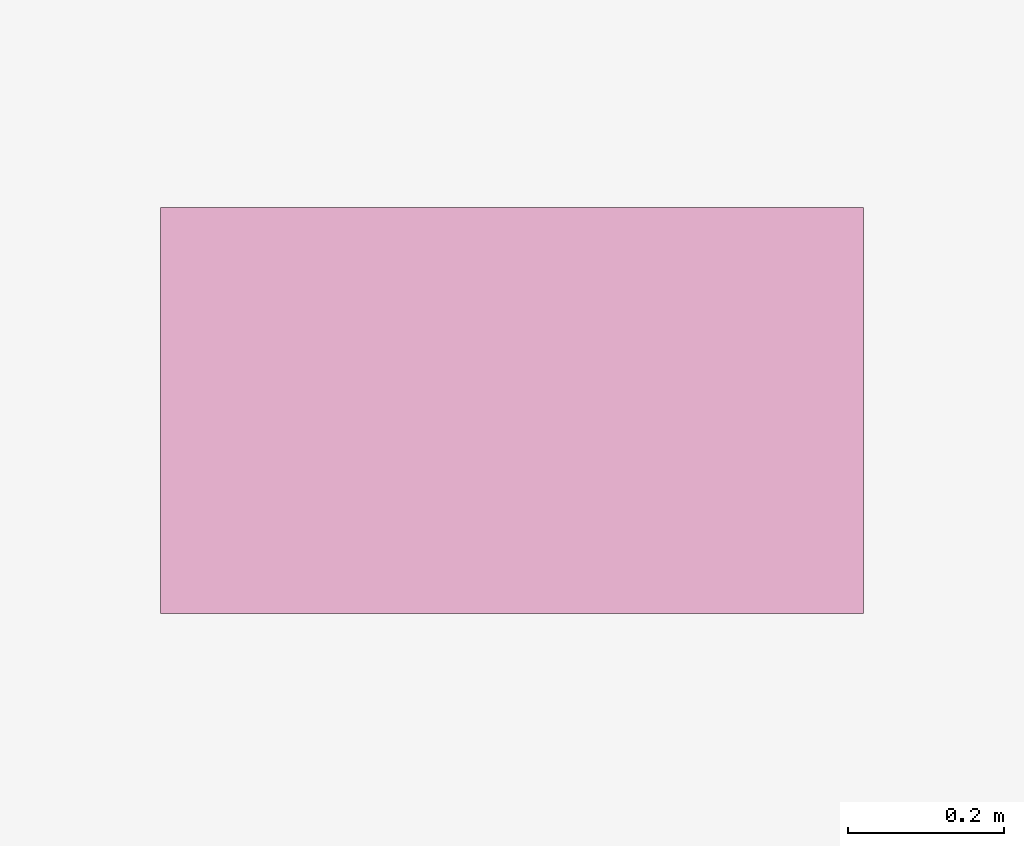
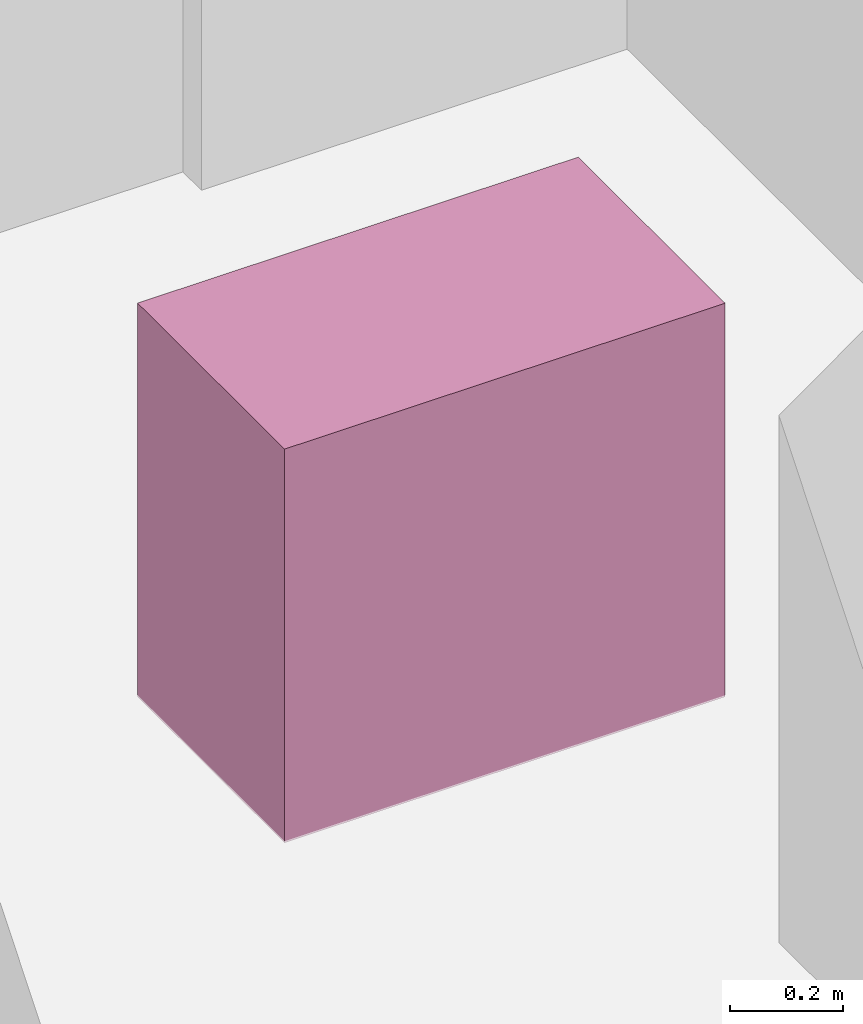
# One storey, part 30 of 30: 1 furnishing.
"""IFC4 building model written with IfcOpenShell, lengths in metres."""

from ifc_helpers import new_model, si_unit, direction, frame, origin, origin_2d, place, context, subcontext, project, spatial, rectangle, extrude, material, type_object, element, save


model = new_model("IFC4")

# Units and contexts
model_context = context("Model", 3, precision=1e-05, world=origin(), true_north=direction((0.0, 1.0)))
body_context = subcontext(model_context, "Body", "Model", "MODEL_VIEW")
ifc_project = project(units=[si_unit("LENGTHUNIT", "METRE"), si_unit("AREAUNIT", "SQUARE_METRE"), si_unit("VOLUMEUNIT", "CUBIC_METRE"), si_unit("PLANEANGLEUNIT", "RADIAN"), si_unit("MASSUNIT", "GRAM", prefix="KILO")], contexts=[model_context])

# Site, building, storey
site_placement = place(None, origin())
site = spatial("IfcSite", under=ifc_project, at=site_placement, CompositionType="ELEMENT")
building_placement = place(site_placement, origin())
building = spatial("IfcBuilding", under=site, at=building_placement, Name="Vorneva Point Tower", CompositionType="ELEMENT")
storey_placement = place(building_placement, frame((0.0, 0.0, 89.300048828125)))
storey = spatial("IfcBuildingStorey", under=building, at=storey_placement, Name="L23", CompositionType="ELEMENT", Elevation=89.300048828125)

# Furnishing
ifc_material = material(Name="Vitreous china and granite top", Category="masonry")
furniture_type = type_object("IfcFurnitureType", Name="FUR-VAN-900", AssemblyPlace="NOTDEFINED", PredefinedType="NOTDEFINED", material=ifc_material)
furnishing_placement = place(storey_placement, frame((34.85009765625, 32.1201171875, -0.005126953125), z_axis=(0.0, 0.0, 1.0), x_axis=(1.0, 0.0, 0.0)))
element("IfcFurnishingElement", 1, at=furnishing_placement, inside=storey, type_object=furniture_type, Name="L23 Public Male WC Vanity Unit", ObjectType="L23 Public Male WC Vanity Unit", context=body_context, shape_type="SweptSolid", body=[
    extrude(rectangle(XDim=0.89990234375, YDim=0.52001953125, at=origin_2d()), origin(), (0.0, 0.0, 1.0), 0.85009765625),
])

save(model, "model.ifc")
